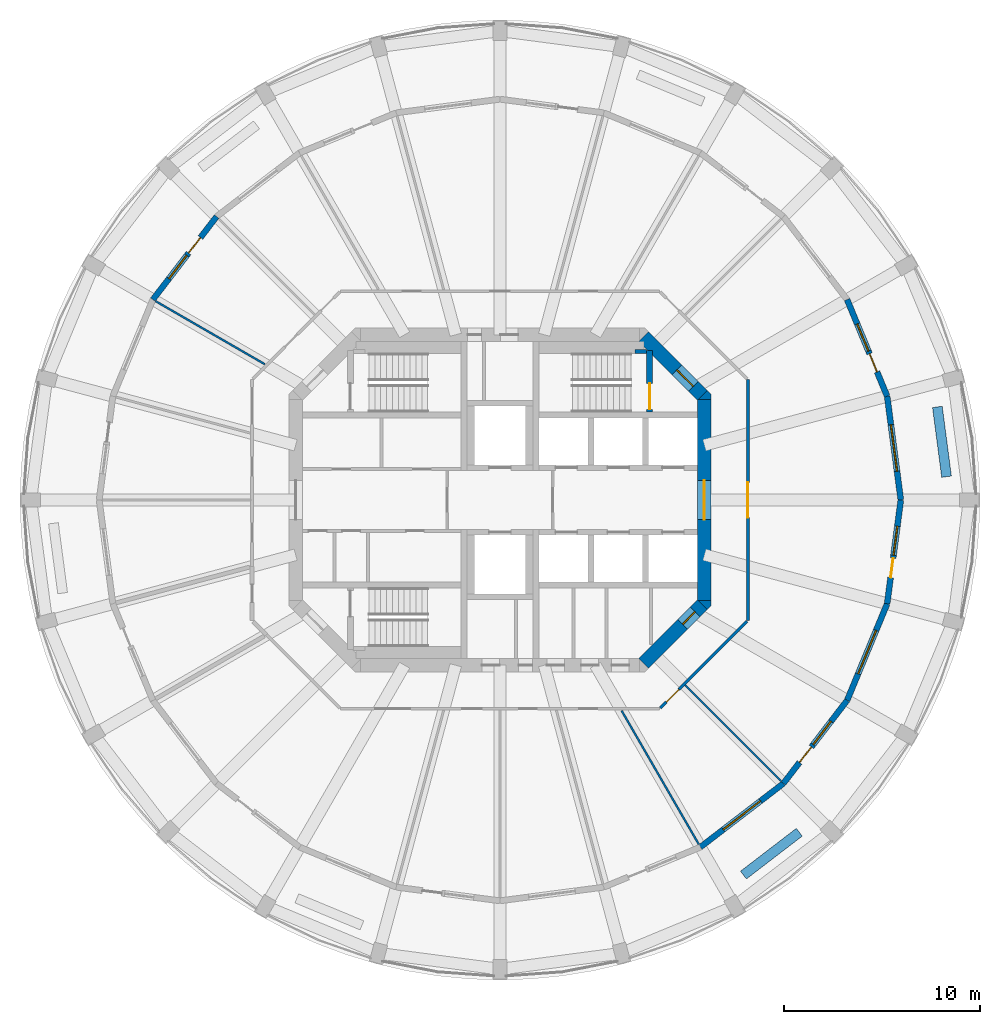
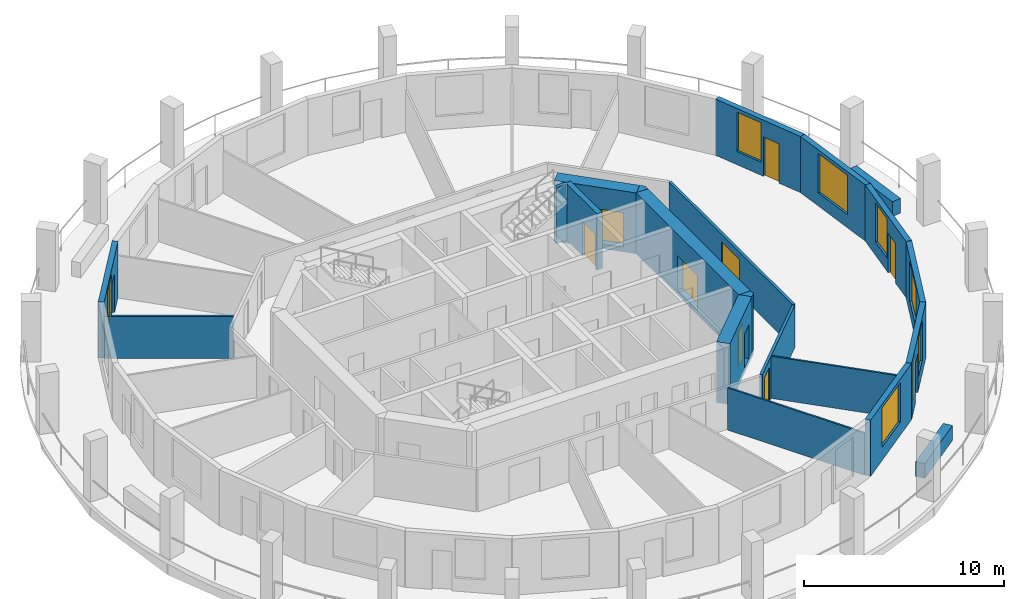
# One storey, part 5 of 9: 21 walls, 10 doors, 7 windows, 17 openings.
"""IFC4 building model written with IfcOpenShell, lengths in metres."""

from ifc_helpers import new_model, si_unit, direction, frame, frame_2d, origin, place, context, subcontext, project, spatial, polyline, rectangle, outline, extrude, material, layer, layer_set, type_object, element, fill, save


model = new_model("IFC4")

# Units and contexts
model_context = context("Model", 3, precision=1e-05, world=origin(), true_north=direction((0.0, 1.0)))
body_context = subcontext(model_context, "Body", "Model", "MODEL_VIEW")
ifc_project = project(units=[si_unit("LENGTHUNIT", "METRE"), si_unit("AREAUNIT", "SQUARE_METRE"), si_unit("VOLUMEUNIT", "CUBIC_METRE"), si_unit("PLANEANGLEUNIT", "RADIAN"), si_unit("MASSUNIT", "GRAM", prefix="KILO")], contexts=[model_context])

# Site, building, storey
site_placement = place(None, origin())
site = spatial("IfcSite", under=ifc_project, at=site_placement, CompositionType="ELEMENT")
building_placement = place(site_placement, origin())
building = spatial("IfcBuilding", under=site, at=building_placement, Name="Torre Triforio", CompositionType="ELEMENT")
storey_placement = place(building_placement, frame((0.0, 0.0, 244.60009765625)))
storey = spatial("IfcBuildingStorey", under=building, at=storey_placement, Name="L56", CompositionType="ELEMENT", Elevation=244.60009765625)

# Wall, opening, door
ifc_material_1 = material(Name="Concrete C50", Category="concrete")
ifc_layer_1 = layer(ifc_material_1, 0.699951171875)
ifc_layer_set_1 = layer_set([ifc_layer_1], Name="Concrete C50")
wall_type_1 = type_object("IfcWallType", Name="Core wall 700 mm C50 EI 120", PredefinedType="SHEAR", material=ifc_layer_set_1)
wall_1_placement = place(storey_placement, frame((10.449951171875, -5.1298828125, -0.280029296875), z_axis=(0.0, 0.0, 1.0), x_axis=(0.0, 1.0, 0.0)))
wall_1 = element("IfcWall", 1, at=wall_1_placement, inside=storey, type_object=wall_type_1, Name="Core wall", PredefinedType="SHEAR", context=body_context, shape_type="SweptSolid", body=[
    extrude(rectangle(XDim=10.259765625, YDim=0.699951171875, at=frame_2d((5.1298828125, 0.0))), origin(), (0.0, 0.0, 1.0), 3.699951171875),
])
opening_1_placement = place(wall_1_placement, frame((4.1298828125, 0.0, 0.280029296875)))
opening_1 = element("IfcOpeningElement", 2, at=opening_1_placement, cuts=wall_1, Name="Opening E-RING", PredefinedType="OPENING", context=body_context, shape_type="SweptSolid", body=[
    extrude(rectangle(XDim=2.0, YDim=2.10009765625, at=frame_2d((1.0, 1.050048828125))), frame((0.0, 0.35986328125, 0.0), z_axis=(0.0, -1.0, 0.0), x_axis=(1.0, 0.0, 0.0)), (0.0, 0.0, 1.0), 0.719970703125),
])
ifc_material_2 = material(Name="Hollow metal fire door leaf")
door_type_1 = type_object("IfcDoorType", Name="Lobby door 2000 x 2100 EI 60", OperationType="DOUBLE_DOOR_SINGLE_SWING", PredefinedType="DOOR", material=ifc_material_2)
door_1_placement = place(opening_1_placement, origin())
door_1 = element("IfcDoor", 3, at=door_1_placement, inside=storey, type_object=door_type_1, Name="Core door E-RING", OperationType="DOUBLE_DOOR_SINGLE_SWING", OverallHeight=2.10009765625, OverallWidth=2.0, PredefinedType="DOOR", context=body_context, shape_type="SweptSolid", body=[
    extrude(rectangle(XDim=2.0, YDim=2.10009765625, at=frame_2d((1.0, 1.050048828125))), frame((0.0, 0.02490234375, 0.0), z_axis=(0.0, -1.0, 0.0), x_axis=(1.0, 0.0, 0.0)), (0.0, 0.0, 1.0), 0.050048828125),
])
fill(opening_1, door_1)

wall_2_placement = place(storey_placement, frame((7.347412109375, 8.347412109375, -0.280029296875), z_axis=(0.0, 0.0, 1.0), x_axis=(0.707106781187, -0.707106781187, 0.0)))
wall_2 = element("IfcWall", 4, at=wall_2_placement, inside=storey, type_object=wall_type_1, Name="Core wall", PredefinedType="SHEAR", context=body_context, shape_type="SweptSolid", body=[
    extrude(rectangle(XDim=4.24267578125, YDim=0.699951171875, at=frame_2d((2.121337890625, 0.0))), origin(), (0.0, 0.0, 1.0), 3.699951171875),
])
opening_2_placement = place(wall_2_placement, frame((2.392578125, 0.0, 0.280029296875)))
opening_2 = element("IfcOpeningElement", 5, at=opening_2_placement, cuts=wall_2, Name="Opening ST2-EXIT", PredefinedType="OPENING", context=body_context, shape_type="SweptSolid", body=[
    extrude(rectangle(XDim=1.199951171875, YDim=2.10009765625, at=frame_2d((0.60009765625, 1.050048828125))), frame((0.0, 0.35986328125, 0.0), z_axis=(0.0, -1.0, 0.0), x_axis=(1.0, 0.0, 0.0)), (0.0, 0.0, 1.0), 0.719970703125),
])
door_type_2 = type_object("IfcDoorType", Name="Stair lobby door 1200 x 2100 EI 60", OperationType="NOTDEFINED", PredefinedType="DOOR", material=ifc_material_2)
door_2_placement = place(opening_2_placement, origin())
door_2 = element("IfcDoor", 6, at=door_2_placement, inside=storey, type_object=door_type_2, Name="Core door ST2-EXIT", OperationType="SINGLE_SWING_RIGHT", OverallHeight=2.10009765625, OverallWidth=1.199951171875, PredefinedType="DOOR", context=body_context, shape_type="SweptSolid", body=[
    extrude(rectangle(XDim=1.199951171875, YDim=2.10009765625, at=frame_2d((0.60009765625, 1.050048828125))), frame((0.0, 0.02490234375, 0.0), z_axis=(0.0, -1.0, 0.0), x_axis=(1.0, 0.0, 0.0)), (0.0, 0.0, 1.0), 0.050048828125),
])
fill(opening_2, door_2)

wall_3_placement = place(storey_placement, frame((10.347412109375, -5.347412109375, -0.280029296875), z_axis=(0.0, 0.0, 1.0), x_axis=(-0.707106781187, -0.707106781187, 0.0)))
wall_3 = element("IfcWall", 7, at=wall_3_placement, inside=storey, type_object=wall_type_1, Name="Core wall", PredefinedType="SHEAR", context=body_context, shape_type="SweptSolid", body=[
    extrude(rectangle(XDim=4.24267578125, YDim=0.699951171875, at=frame_2d((2.121337890625, 0.0))), origin(), (0.0, 0.0, 1.0), 3.699951171875),
])
opening_3_placement = place(wall_3_placement, frame((0.52001953125, 0.0, 0.280029296875)))
opening_3 = element("IfcOpeningElement", 8, at=opening_3_placement, cuts=wall_3, Name="Opening SE-04", PredefinedType="OPENING", context=body_context, shape_type="SweptSolid", body=[
    extrude(rectangle(XDim=0.89990234375, YDim=2.10009765625, at=frame_2d((0.449951171875, 1.050048828125))), frame((0.0, 0.35986328125, 0.0), z_axis=(0.0, -1.0, 0.0), x_axis=(1.0, 0.0, 0.0)), (0.0, 0.0, 1.0), 0.719970703125),
])
door_type_3 = type_object("IfcDoorType", Name="Room door 900 x 2100 EI 60", OperationType="NOTDEFINED", PredefinedType="DOOR", material=ifc_material_2)
door_3_placement = place(opening_3_placement, origin())
door_3 = element("IfcDoor", 9, at=door_3_placement, inside=storey, type_object=door_type_3, Name="Core door SE-04", OperationType="SINGLE_SWING_RIGHT", OverallHeight=2.10009765625, OverallWidth=0.89990234375, PredefinedType="DOOR", context=body_context, shape_type="SweptSolid", body=[
    extrude(rectangle(XDim=0.89990234375, YDim=2.10009765625, at=frame_2d((0.449951171875, 1.050048828125))), frame((0.0, 0.02490234375, 0.0), z_axis=(0.0, -1.0, 0.0), x_axis=(1.0, 0.0, 0.0)), (0.0, 0.0, 1.0), 0.050048828125),
])
fill(opening_3, door_3)

# Walls
wall_4_placement = place(storey_placement, frame((0.0, 0.0, -0.280029296875)))
element("IfcWall", 10, at=wall_4_placement, inside=storey, type_object=wall_type_1, Name="Core wall", PredefinedType="SHEAR", context=body_context, shape_type="SweptSolid", body=[
    extrude(outline(polyline([(10.800048828125, -5.389892578125), (10.594970703125, -5.594970703125), (10.594970703125, -5.594970703125), (10.594970703125, -5.594970703125), (10.1298828125, -5.1298828125), (10.800048828125, -5.1298828125), (10.800048828125, -5.1298828125), (10.800048828125, -5.389892578125)])), origin(), (0.0, 0.0, 1.0), 3.699951171875),
])
wall_5_placement = place(storey_placement, frame((0.0, 0.0, -0.280029296875)))
element("IfcWall", 11, at=wall_5_placement, inside=storey, type_object=wall_type_1, Name="Core wall", PredefinedType="SHEAR", context=body_context, shape_type="SweptSolid", body=[
    extrude(outline(polyline([(10.800048828125, 5.389892578125), (10.800048828125, 5.1298828125), (10.800048828125, 5.1298828125), (10.1298828125, 5.1298828125), (10.594970703125, 5.594970703125), (10.594970703125, 5.594970703125), (10.594970703125, 5.594970703125), (10.800048828125, 5.389892578125)])), origin(), (0.0, 0.0, 1.0), 3.699951171875),
])

# Wall, opening, door
ifc_material_3 = material(Name="Plasterboard on metal studs")
ifc_layer_2 = layer(ifc_material_3, 0.14990234375)
ifc_layer_set_2 = layer_set([ifc_layer_2], Name="Plasterboard on metal studs")
wall_type_2 = type_object("IfcWallType", Name="Corridor and tenancy wall 150 mm EI 60", PredefinedType="PARTITIONING", material=ifc_layer_set_2)
wall_6_placement = place(storey_placement, frame((12.637939453125, -6.20361328125, 0.0), z_axis=(0.0, 0.0, 1.0), x_axis=(-0.707106781187, -0.707106781187, 0.0)))
wall_6 = element("IfcWall", 12, at=wall_6_placement, inside=storey, type_object=wall_type_2, Name="Partition 1", PredefinedType="PARTITIONING", context=body_context, shape_type="SweptSolid", body=[
    extrude(rectangle(XDim=6.27099609375, YDim=0.14990234375, at=frame_2d((3.135498046875, 0.0))), origin(), (0.0, 0.0, 1.0), 2.56982421875),
])
opening_4_placement = place(wall_6_placement, frame((4.935302734375, 0.0, 0.0)))
opening_4 = element("IfcOpeningElement", 13, at=opening_4_placement, cuts=wall_6, Name="Opening O8-05", PredefinedType="OPENING", context=body_context, shape_type="SweptSolid", body=[
    extrude(rectangle(XDim=0.89990234375, YDim=2.10009765625, at=frame_2d((0.449951171875, 1.050048828125))), frame((0.0, 0.0849609375, 0.0), z_axis=(0.0, -1.0, 0.0), x_axis=(1.0, 0.0, 0.0)), (0.0, 0.0, 1.0), 0.169921875),
])
ifc_material_4 = material(Name="Timber", Category="wood")
door_type_4 = type_object("IfcDoorType", Name="Door 900 x 2100 single leaf EI 30", OperationType="NOTDEFINED", PredefinedType="DOOR", material=ifc_material_4)
door_4_placement = place(opening_4_placement, origin())
door_4 = element("IfcDoor", 14, at=door_4_placement, inside=storey, type_object=door_type_4, Name="Door O8-05", OperationType="SINGLE_SWING_LEFT", OverallHeight=2.10009765625, OverallWidth=0.89990234375, PredefinedType="DOOR", context=body_context, shape_type="SweptSolid", body=[
    extrude(rectangle(XDim=0.89990234375, YDim=2.10009765625, at=frame_2d((0.449951171875, 1.050048828125))), frame((0.0, 0.02490234375, 0.0), z_axis=(0.0, -1.0, 0.0), x_axis=(1.0, 0.0, 0.0)), (0.0, 0.0, 1.0), 0.050048828125),
])
fill(opening_4, door_4)

wall_7_placement = place(storey_placement, frame((12.675048828125, 6.16650390625, 0.0), z_axis=(0.0, 0.0, 1.0), x_axis=(0.0, -1.0, 0.0)))
wall_7 = element("IfcWall", 15, at=wall_7_placement, inside=storey, type_object=wall_type_2, Name="Partition 10", PredefinedType="PARTITIONING", context=body_context, shape_type="SweptSolid", body=[
    extrude(rectangle(XDim=12.3330078125, YDim=0.14990234375, at=frame_2d((6.16650390625, 0.0))), origin(), (0.0, 0.0, 1.0), 2.56982421875),
])
opening_5_placement = place(wall_7_placement, frame((5.2666015625, 0.0, 0.0)))
opening_5 = element("IfcOpeningElement", 16, at=opening_5_placement, cuts=wall_7, Name="Opening O8-06", PredefinedType="OPENING", context=body_context, shape_type="SweptSolid", body=[
    extrude(rectangle(XDim=1.800048828125, YDim=2.10009765625, at=frame_2d((0.89990234375, 1.050048828125))), frame((0.0, 0.0849609375, 0.0), z_axis=(0.0, -1.0, 0.0), x_axis=(1.0, 0.0, 0.0)), (0.0, 0.0, 1.0), 0.169921875),
])
door_type_5 = type_object("IfcDoorType", Name="Door 1800 x 2100 double leaf EI 30", OperationType="DOUBLE_DOOR_SINGLE_SWING", PredefinedType="DOOR", material=ifc_material_4)
door_5_placement = place(opening_5_placement, origin())
door_5 = element("IfcDoor", 17, at=door_5_placement, inside=storey, type_object=door_type_5, Name="Door O8-06", OperationType="DOUBLE_DOOR_SINGLE_SWING", OverallHeight=2.10009765625, OverallWidth=1.800048828125, PredefinedType="DOOR", context=body_context, shape_type="SweptSolid", body=[
    extrude(rectangle(XDim=1.800048828125, YDim=2.10009765625, at=frame_2d((0.89990234375, 1.050048828125))), frame((0.0, 0.02490234375, 0.0), z_axis=(0.0, -1.0, 0.0), x_axis=(1.0, 0.0, 0.0)), (0.0, 0.0, 1.0), 0.050048828125),
])
fill(opening_5, door_5)

# Walls
ifc_layer_3 = layer(ifc_material_3, 0.10009765625)
ifc_layer_set_3 = layer_set([ifc_layer_3], Name="Plasterboard on metal studs")
wall_type_3 = type_object("IfcWallType", Name="Partition 100 mm board on metal studs", PredefinedType="PARTITIONING", material=ifc_layer_set_3)
wall_8_placement = place(storey_placement, frame((-12.025146484375, 6.94287109375, 0.0), z_axis=(0.0, 0.0, 1.0), x_axis=(-0.866026773083, 0.499997628298, 0.0)))
element("IfcWall", 18, at=wall_8_placement, inside=storey, type_object=wall_type_3, Name="Partition 17", PredefinedType="PARTITIONING", context=body_context, shape_type="SweptSolid", body=[
    extrude(rectangle(XDim=6.451171875, YDim=0.10009765625, at=frame_2d((3.2255859375, 0.0))), origin(), (0.0, 0.0, 1.0), 2.56982421875),
])
wall_9_placement = place(storey_placement, frame((6.220703125, -10.774658203125, 0.0), z_axis=(0.0, 0.0, 1.0), x_axis=(0.500016891966, -0.866015650984, 0.0)))
element("IfcWall", 19, at=wall_9_placement, inside=storey, type_object=wall_type_3, Name="Partition 25", PredefinedType="PARTITIONING", context=body_context, shape_type="SweptSolid", body=[
    extrude(rectangle(XDim=7.895263671875, YDim=0.10009765625, at=frame_2d((3.94775390625, 0.0))), origin(), (0.0, 0.0, 1.0), 2.56982421875),
])
wall_10_placement = place(storey_placement, frame((9.473876953125, -9.473876953125, 0.0), z_axis=(0.0, 0.0, 1.0), x_axis=(0.707106781187, -0.707106781187, 0.0)))
element("IfcWall", 20, at=wall_10_placement, inside=storey, type_object=wall_type_3, Name="Partition 26", PredefinedType="PARTITIONING", context=body_context, shape_type="SweptSolid", body=[
    extrude(rectangle(XDim=6.9384765625, YDim=0.10009765625, at=frame_2d((3.46923828125, 0.0))), origin(), (0.0, 0.0, 1.0), 2.56982421875),
])
ifc_material_5 = material(Name="Limestone cladding", Category="masonry")
ifc_layer_4 = layer(ifc_material_5, 0.10009765625)
ifc_material_6 = material(Name="Concrete C40", Category="concrete")
ifc_layer_5 = layer(ifc_material_6, 0.39990234375)
ifc_layer_set_4 = layer_set([ifc_layer_4, ifc_layer_5], Name="Limestone cladding / Concrete C40")
wall_type_4 = type_object("IfcWallType", Name="Planter wall 500", PredefinedType="PARAPET", material=ifc_layer_set_4)
wall_11_placement = place(storey_placement, frame((22.83984375, 1.19140625, 0.0), z_axis=(0.0, 0.0, 1.0), x_axis=(-0.130484336385, 0.9914503709, 0.0)))
element("IfcWall", 21, at=wall_11_placement, inside=storey, type_object=wall_type_4, Name="Planter L56 bay 01", PredefinedType="PARAPET", context=body_context, shape_type="SweptSolid", body=[
    extrude(rectangle(XDim=3.599853515625, YDim=0.5, at=frame_2d((1.7998046875, 0.0))), origin(), (0.0, 0.0, 1.0), 0.89990234375),
])
wall_12_placement = place(storey_placement, frame((12.45166015625, -19.18408203125, 0.0), z_axis=(0.0, 0.0, 1.0), x_axis=(0.793384730612, 0.608720518162, 0.0)))
element("IfcWall", 22, at=wall_12_placement, inside=storey, type_object=wall_type_4, Name="Planter L56 bay 21", PredefinedType="PARAPET", context=body_context, shape_type="SweptSolid", body=[
    extrude(rectangle(XDim=3.60009765625, YDim=0.5, at=frame_2d((1.800048828125, 0.0))), origin(), (0.0, 0.0, 1.0), 0.89990234375),
])
ifc_layer_6 = layer(ifc_material_1, 0.199951171875)
ifc_layer_set_5 = layer_set([ifc_layer_6], Name="Concrete C50")
wall_type_5 = type_object("IfcWallType", Name="Stair wall 200 mm C50 EI 120", PredefinedType="SHEAR", material=ifc_layer_set_5)
wall_13_placement = place(storey_placement, frame((6.89990234375, 7.60009765625, 0.0), z_axis=(0.0, 0.0, 1.0), x_axis=(1.0, 0.0, 0.0)))
element("IfcWall", 23, at=wall_13_placement, inside=storey, type_object=wall_type_5, Name="Stair wall", PredefinedType="SHEAR", context=body_context, shape_type="SweptSolid", body=[
    extrude(rectangle(XDim=0.60009765625, YDim=0.199951171875, at=frame_2d((0.300048828125, 0.0))), origin(), (0.0, 0.0, 1.0), 3.419921875),
])

# Wall, opening, door
ifc_layer_7 = layer(ifc_material_1, 0.300048828125)
ifc_layer_set_6 = layer_set([ifc_layer_7], Name="Concrete C50")
wall_type_6 = type_object("IfcWallType", Name="Stair wall 300 mm C50 EI 120", PredefinedType="SHEAR", material=ifc_layer_set_6)
wall_14_placement = place(storey_placement, frame((7.64990234375, 4.5, 0.0), z_axis=(0.0, 0.0, 1.0), x_axis=(0.0, 1.0, 0.0)))
wall_14 = element("IfcWall", 24, at=wall_14_placement, inside=storey, type_object=wall_type_6, Name="Stair wall", PredefinedType="SHEAR", context=body_context, shape_type="SweptSolid", body=[
    extrude(rectangle(XDim=3.139892578125, YDim=0.300048828125, at=frame_2d((1.56982421875, 0.0))), origin(), (0.0, 0.0, 1.0), 3.419921875),
])
opening_6_placement = place(wall_14_placement, frame((0.139892578125, 0.0, 0.0)))
opening_6 = element("IfcOpeningElement", 25, at=opening_6_placement, cuts=wall_14, Name="Opening ST2-STA", PredefinedType="OPENING", context=body_context, shape_type="SweptSolid", body=[
    extrude(rectangle(XDim=1.320068359375, YDim=2.10009765625, at=frame_2d((0.66015625, 1.050048828125))), frame((0.0, 0.159912109375, 0.0), z_axis=(0.0, -1.0, 0.0), x_axis=(1.0, 0.0, 0.0)), (0.0, 0.0, 1.0), 0.320068359375),
])
door_type_6 = type_object("IfcDoorType", Name="Stair door 1320 x 2100 EI 90", OperationType="DOUBLE_DOOR_SINGLE_SWING", PredefinedType="DOOR", material=ifc_material_2)
door_6_placement = place(opening_6_placement, origin())
door_6 = element("IfcDoor", 26, at=door_6_placement, inside=storey, type_object=door_type_6, Name="Core door ST2-ST", OperationType="DOUBLE_DOOR_SINGLE_SWING", OverallHeight=2.10009765625, OverallWidth=1.320068359375, PredefinedType="DOOR", context=body_context, shape_type="SweptSolid", body=[
    extrude(rectangle(XDim=1.320068359375, YDim=2.10009765625, at=frame_2d((0.66015625, 1.050048828125))), frame((0.0, 0.02490234375, 0.0), z_axis=(0.0, -1.0, 0.0), x_axis=(1.0, 0.0, 0.0)), (0.0, 0.0, 1.0), 0.050048828125),
])
fill(opening_6, door_6)

# Wall, opening, window
ifc_layer_8 = layer(ifc_material_5, 0.10009765625)
ifc_layer_9 = layer(ifc_material_6, 0.199951171875)
ifc_layer_set_7 = layer_set([ifc_layer_8, ifc_layer_9], Name="Limestone cladding / Concrete C40")
wall_type_7 = type_object("IfcWallType", Name="Stone-faced composite wall 300", PredefinedType="STANDARD", material=ifc_layer_set_7)
wall_15_placement = place(storey_placement, frame((20.5, 0.0, 0.0), z_axis=(0.0, 0.0, 1.0), x_axis=(-0.130517056518, 0.991446064069, 0.0)))
wall_15 = element("IfcWall", 27, at=wall_15_placement, inside=storey, type_object=wall_type_7, Name="External wall L56 bay 01", PredefinedType="STANDARD", context=body_context, shape_type="SweptSolid", body=[
    extrude(rectangle(XDim=5.351806640625, YDim=0.300048828125, at=frame_2d((2.67578125, 0.0))), origin(), (0.0, 0.0, 1.0), 3.419921875),
])
opening_7_placement = place(wall_15_placement, frame((1.475830078125, 0.0, 0.800048828125)))
opening_7 = element("IfcOpeningElement", 28, at=opening_7_placement, cuts=wall_15, Name="Opening O8-W01", PredefinedType="OPENING", context=body_context, shape_type="SweptSolid", body=[
    extrude(rectangle(XDim=2.39990234375, YDim=2.39990234375, at=frame_2d((1.199951171875, 1.199951171875))), frame((0.0, 0.159912109375, 0.0), z_axis=(0.0, -1.0, 0.0), x_axis=(1.0, 0.0, 0.0)), (0.0, 0.0, 1.0), 0.320068359375),
])
ifc_material_7 = material(Name="Aluminium frame with clear double glazing", Category="aluminium")
window_type_1 = type_object("IfcWindowType", Name="Punched window 2400 x 2400", PartitioningType="DOUBLE_PANEL_VERTICAL", PredefinedType="WINDOW", material=ifc_material_7)
window_1_placement = place(opening_7_placement, origin())
window_1 = element("IfcWindow", 29, at=window_1_placement, inside=storey, type_object=window_type_1, Name="Window EWN4 L56 bay 01", OverallHeight=2.39990234375, OverallWidth=2.39990234375, PartitioningType="SINGLE_PANEL", PredefinedType="WINDOW", context=body_context, shape_type="SweptSolid", body=[
    extrude(rectangle(XDim=2.39990234375, YDim=2.39990234375, at=frame_2d((1.199951171875, 1.199951171875))), frame((0.0, 0.030029296875, 0.0), z_axis=(0.0, -1.0, 0.0), x_axis=(1.0, 0.0, 0.0)), (0.0, 0.0, 1.0), 0.06005859375),
])
fill(opening_7, window_1)

# Wall, openings, door, window
wall_16_placement = place(storey_placement, frame((19.801513671875, 5.305908203125, 0.0), z_axis=(0.0, 0.0, 1.0), x_axis=(-0.382713071139, 0.923867255172, 0.0)))
wall_16 = element("IfcWall", 30, at=wall_16_placement, inside=storey, type_object=wall_type_7, Name="External wall L56 bay 02", PredefinedType="STANDARD", context=body_context, shape_type="SweptSolid", body=[
    extrude(rectangle(XDim=5.3515625, YDim=0.300048828125, at=frame_2d((2.67578125, 0.0))), origin(), (0.0, 0.0, 1.0), 3.419921875),
])
opening_8_placement = place(wall_16_placement, frame((1.350830078125, 0.0, 0.0)))
opening_8 = element("IfcOpeningElement", 31, at=opening_8_placement, cuts=wall_16, Name="Opening O8-D02", PredefinedType="OPENING", context=body_context, shape_type="SweptSolid", body=[
    extrude(rectangle(XDim=1.0, YDim=2.39990234375, at=frame_2d((0.5, 1.199951171875))), frame((0.0, 0.159912109375, 0.0), z_axis=(0.0, -1.0, 0.0), x_axis=(1.0, 0.0, 0.0)), (0.0, 0.0, 1.0), 0.320068359375),
])
opening_9_placement = place(wall_16_placement, frame((2.500732421875, 0.0, 0.800048828125)))
opening_9 = element("IfcOpeningElement", 32, at=opening_9_placement, cuts=wall_16, Name="Opening O8-W02A", PredefinedType="OPENING", context=body_context, shape_type="SweptSolid", body=[
    extrude(rectangle(XDim=1.5, YDim=2.39990234375, at=frame_2d((0.75, 1.199951171875))), frame((0.0, 0.159912109375, 0.0), z_axis=(0.0, -1.0, 0.0), x_axis=(1.0, 0.0, 0.0)), (0.0, 0.0, 1.0), 0.320068359375),
])
door_type_7 = type_object("IfcDoorType", Name="Loggia door 1000 x 2400", OperationType="NOTDEFINED", PredefinedType="DOOR", material=ifc_material_7)
door_7_placement = place(opening_8_placement, origin())
door_7 = element("IfcDoor", 33, at=door_7_placement, inside=storey, type_object=door_type_7, Name="Loggia door L56 bay 02", OperationType="SINGLE_SWING_LEFT", OverallHeight=2.39990234375, OverallWidth=1.0, PredefinedType="DOOR", context=body_context, shape_type="SweptSolid", body=[
    extrude(rectangle(XDim=1.0, YDim=2.39990234375, at=frame_2d((0.5, 1.199951171875))), frame((0.0, 0.02490234375, 0.0), z_axis=(0.0, -1.0, 0.0), x_axis=(1.0, 0.0, 0.0)), (0.0, 0.0, 1.0), 0.050048828125),
])
fill(opening_8, door_7)
window_type_2 = type_object("IfcWindowType", Name="Side window 1500 x 2400", PartitioningType="SINGLE_PANEL", PredefinedType="WINDOW", material=ifc_material_7)
window_2_placement = place(opening_9_placement, origin())
window_2 = element("IfcWindow", 34, at=window_2_placement, inside=storey, type_object=window_type_2, Name="Side window EWN14 L56 bay 02", OverallHeight=2.39990234375, OverallWidth=1.5, PartitioningType="SINGLE_PANEL", PredefinedType="WINDOW", context=body_context, shape_type="SweptSolid", body=[
    extrude(rectangle(XDim=1.5, YDim=2.39990234375, at=frame_2d((0.75, 1.199951171875))), frame((0.0, 0.030029296875, 0.0), z_axis=(0.0, -1.0, 0.0), x_axis=(1.0, 0.0, 0.0)), (0.0, 0.0, 1.0), 0.06005859375),
])
fill(opening_9, window_2)

wall_17_placement = place(storey_placement, frame((-14.49560546875, 14.49560546875, 0.0), z_axis=(0.0, 0.0, 1.0), x_axis=(-0.60876670321, -0.793349293227, 0.0)))
wall_17 = element("IfcWall", 35, at=wall_17_placement, inside=storey, type_object=wall_type_7, Name="External wall L56 bay 10", PredefinedType="STANDARD", context=body_context, shape_type="SweptSolid", body=[
    extrude(rectangle(XDim=5.3515625, YDim=0.300048828125, at=frame_2d((2.67578125, 0.0))), origin(), (0.0, 0.0, 1.0), 3.419921875),
])
opening_10_placement = place(wall_17_placement, frame((1.350830078125, 0.0, 0.0)))
opening_10 = element("IfcOpeningElement", 36, at=opening_10_placement, cuts=wall_17, Name="Opening O8-D10", PredefinedType="OPENING", context=body_context, shape_type="SweptSolid", body=[
    extrude(rectangle(XDim=1.0, YDim=2.39990234375, at=frame_2d((0.5, 1.199951171875))), frame((0.0, 0.159912109375, 0.0), z_axis=(0.0, -1.0, 0.0), x_axis=(1.0, 0.0, 0.0)), (0.0, 0.0, 1.0), 0.320068359375),
])
opening_11_placement = place(wall_17_placement, frame((2.500732421875, 0.0, 0.800048828125)))
opening_11 = element("IfcOpeningElement", 37, at=opening_11_placement, cuts=wall_17, Name="Opening O8-W10A", PredefinedType="OPENING", context=body_context, shape_type="SweptSolid", body=[
    extrude(rectangle(XDim=1.5, YDim=2.39990234375, at=frame_2d((0.75, 1.199951171875))), frame((0.0, 0.159912109375, 0.0), z_axis=(0.0, -1.0, 0.0), x_axis=(1.0, 0.0, 0.0)), (0.0, 0.0, 1.0), 0.320068359375),
])
door_8_placement = place(opening_10_placement, origin())
door_8 = element("IfcDoor", 38, at=door_8_placement, inside=storey, type_object=door_type_7, Name="Loggia door L56 bay 10", OperationType="SINGLE_SWING_LEFT", OverallHeight=2.39990234375, OverallWidth=1.0, PredefinedType="DOOR", context=body_context, shape_type="SweptSolid", body=[
    extrude(rectangle(XDim=1.0, YDim=2.39990234375, at=frame_2d((0.5, 1.199951171875))), frame((0.0, 0.02490234375, 0.0), z_axis=(0.0, -1.0, 0.0), x_axis=(1.0, 0.0, 0.0)), (0.0, 0.0, 1.0), 0.050048828125),
])
fill(opening_10, door_8)
window_3_placement = place(opening_11_placement, origin())
window_3 = element("IfcWindow", 39, at=window_3_placement, inside=storey, type_object=window_type_2, Name="Side window EWN14 L56 bay 10", OverallHeight=2.39990234375, OverallWidth=1.5, PartitioningType="SINGLE_PANEL", PredefinedType="WINDOW", context=body_context, shape_type="SweptSolid", body=[
    extrude(rectangle(XDim=1.5, YDim=2.39990234375, at=frame_2d((0.75, 1.199951171875))), frame((0.0, 0.030029296875, 0.0), z_axis=(0.0, -1.0, 0.0), x_axis=(1.0, 0.0, 0.0)), (0.0, 0.0, 1.0), 0.06005859375),
])
fill(opening_11, window_3)

# Wall, opening, window
wall_18_placement = place(storey_placement, frame((10.25, -17.75341796875, 0.0), z_axis=(0.0, 0.0, 1.0), x_axis=(0.793349293227, 0.60876670321, 0.0)))
wall_18 = element("IfcWall", 40, at=wall_18_placement, inside=storey, type_object=wall_type_7, Name="External wall L56 bay 21", PredefinedType="STANDARD", context=body_context, shape_type="SweptSolid", body=[
    extrude(rectangle(XDim=5.3515625, YDim=0.300048828125, at=frame_2d((2.67578125, 0.0))), origin(), (0.0, 0.0, 1.0), 3.419921875),
])
opening_12_placement = place(wall_18_placement, frame((1.475830078125, 0.0, 0.800048828125)))
opening_12 = element("IfcOpeningElement", 41, at=opening_12_placement, cuts=wall_18, Name="Opening O8-W21", PredefinedType="OPENING", context=body_context, shape_type="SweptSolid", body=[
    extrude(rectangle(XDim=2.39990234375, YDim=2.39990234375, at=frame_2d((1.199951171875, 1.199951171875))), frame((0.0, 0.159912109375, 0.0), z_axis=(0.0, -1.0, 0.0), x_axis=(1.0, 0.0, 0.0)), (0.0, 0.0, 1.0), 0.320068359375),
])
window_4_placement = place(opening_12_placement, origin())
window_4 = element("IfcWindow", 42, at=window_4_placement, inside=storey, type_object=window_type_1, Name="Window EWN4 L56 bay 21", OverallHeight=2.39990234375, OverallWidth=2.39990234375, PartitioningType="SINGLE_PANEL", PredefinedType="WINDOW", context=body_context, shape_type="SweptSolid", body=[
    extrude(rectangle(XDim=2.39990234375, YDim=2.39990234375, at=frame_2d((1.199951171875, 1.199951171875))), frame((0.0, 0.030029296875, 0.0), z_axis=(0.0, -1.0, 0.0), x_axis=(1.0, 0.0, 0.0)), (0.0, 0.0, 1.0), 0.06005859375),
])
fill(opening_12, window_4)

# Wall, openings, door, window
wall_19_placement = place(storey_placement, frame((14.49560546875, -14.49560546875, 0.0), z_axis=(0.0, 0.0, 1.0), x_axis=(0.60876670321, 0.793349293227, 0.0)))
wall_19 = element("IfcWall", 43, at=wall_19_placement, inside=storey, type_object=wall_type_7, Name="External wall L56 bay 22", PredefinedType="STANDARD", context=body_context, shape_type="SweptSolid", body=[
    extrude(rectangle(XDim=5.3515625, YDim=0.300048828125, at=frame_2d((2.67578125, 0.0))), origin(), (0.0, 0.0, 1.0), 3.419921875),
])
opening_13_placement = place(wall_19_placement, frame((1.350830078125, 0.0, 0.0)))
opening_13 = element("IfcOpeningElement", 44, at=opening_13_placement, cuts=wall_19, Name="Opening O8-D22", PredefinedType="OPENING", context=body_context, shape_type="SweptSolid", body=[
    extrude(rectangle(XDim=1.0, YDim=2.39990234375, at=frame_2d((0.5, 1.199951171875))), frame((0.0, 0.159912109375, 0.0), z_axis=(0.0, -1.0, 0.0), x_axis=(1.0, 0.0, 0.0)), (0.0, 0.0, 1.0), 0.320068359375),
])
opening_14_placement = place(wall_19_placement, frame((2.500732421875, 0.0, 0.800048828125)))
opening_14 = element("IfcOpeningElement", 45, at=opening_14_placement, cuts=wall_19, Name="Opening O8-W22A", PredefinedType="OPENING", context=body_context, shape_type="SweptSolid", body=[
    extrude(rectangle(XDim=1.5, YDim=2.39990234375, at=frame_2d((0.75, 1.199951171875))), frame((0.0, 0.159912109375, 0.0), z_axis=(0.0, -1.0, 0.0), x_axis=(1.0, 0.0, 0.0)), (0.0, 0.0, 1.0), 0.320068359375),
])
door_9_placement = place(opening_13_placement, origin())
door_9 = element("IfcDoor", 46, at=door_9_placement, inside=storey, type_object=door_type_7, Name="Loggia door L56 bay 22", OperationType="SINGLE_SWING_LEFT", OverallHeight=2.39990234375, OverallWidth=1.0, PredefinedType="DOOR", context=body_context, shape_type="SweptSolid", body=[
    extrude(rectangle(XDim=1.0, YDim=2.39990234375, at=frame_2d((0.5, 1.199951171875))), frame((0.0, 0.02490234375, 0.0), z_axis=(0.0, -1.0, 0.0), x_axis=(1.0, 0.0, 0.0)), (0.0, 0.0, 1.0), 0.050048828125),
])
fill(opening_13, door_9)
window_5_placement = place(opening_14_placement, origin())
window_5 = element("IfcWindow", 47, at=window_5_placement, inside=storey, type_object=window_type_2, Name="Side window EWN14 L56 bay 22", OverallHeight=2.39990234375, OverallWidth=1.5, PartitioningType="SINGLE_PANEL", PredefinedType="WINDOW", context=body_context, shape_type="SweptSolid", body=[
    extrude(rectangle(XDim=1.5, YDim=2.39990234375, at=frame_2d((0.75, 1.199951171875))), frame((0.0, 0.030029296875, 0.0), z_axis=(0.0, -1.0, 0.0), x_axis=(1.0, 0.0, 0.0)), (0.0, 0.0, 1.0), 0.06005859375),
])
fill(opening_14, window_5)

# Wall, opening, window
wall_20_placement = place(storey_placement, frame((17.75341796875, -10.25, 0.0), z_axis=(0.0, 0.0, 1.0), x_axis=(0.382713071139, 0.923867255172, 0.0)))
wall_20 = element("IfcWall", 48, at=wall_20_placement, inside=storey, type_object=wall_type_7, Name="External wall L56 bay 23", PredefinedType="STANDARD", context=body_context, shape_type="SweptSolid", body=[
    extrude(rectangle(XDim=5.3515625, YDim=0.300048828125, at=frame_2d((2.67578125, 0.0))), origin(), (0.0, 0.0, 1.0), 3.419921875),
])
opening_15_placement = place(wall_20_placement, frame((1.475830078125, 0.0, 0.800048828125)))
opening_15 = element("IfcOpeningElement", 49, at=opening_15_placement, cuts=wall_20, Name="Opening O8-W23", PredefinedType="OPENING", context=body_context, shape_type="SweptSolid", body=[
    extrude(rectangle(XDim=2.39990234375, YDim=2.39990234375, at=frame_2d((1.199951171875, 1.199951171875))), frame((0.0, 0.159912109375, 0.0), z_axis=(0.0, -1.0, 0.0), x_axis=(1.0, 0.0, 0.0)), (0.0, 0.0, 1.0), 0.320068359375),
])
window_6_placement = place(opening_15_placement, origin())
window_6 = element("IfcWindow", 50, at=window_6_placement, inside=storey, type_object=window_type_1, Name="Window EWN4 L56 bay 23", OverallHeight=2.39990234375, OverallWidth=2.39990234375, PartitioningType="SINGLE_PANEL", PredefinedType="WINDOW", context=body_context, shape_type="SweptSolid", body=[
    extrude(rectangle(XDim=2.39990234375, YDim=2.39990234375, at=frame_2d((1.199951171875, 1.199951171875))), frame((0.0, 0.030029296875, 0.0), z_axis=(0.0, -1.0, 0.0), x_axis=(1.0, 0.0, 0.0)), (0.0, 0.0, 1.0), 0.06005859375),
])
fill(opening_15, window_6)

# Wall, openings, door, window
wall_21_placement = place(storey_placement, frame((19.801513671875, -5.305908203125, 0.0), z_axis=(0.0, 0.0, 1.0), x_axis=(0.130517056518, 0.991446064069, 0.0)))
wall_21 = element("IfcWall", 51, at=wall_21_placement, inside=storey, type_object=wall_type_7, Name="External wall L56 bay 24", PredefinedType="STANDARD", context=body_context, shape_type="SweptSolid", body=[
    extrude(rectangle(XDim=5.351806640625, YDim=0.300048828125, at=frame_2d((2.67578125, 0.0))), origin(), (0.0, 0.0, 1.0), 3.419921875),
])
opening_16_placement = place(wall_21_placement, frame((1.350830078125, 0.0, 0.0)))
opening_16 = element("IfcOpeningElement", 52, at=opening_16_placement, cuts=wall_21, Name="Opening O8-D24", PredefinedType="OPENING", context=body_context, shape_type="SweptSolid", body=[
    extrude(rectangle(XDim=1.0, YDim=2.39990234375, at=frame_2d((0.5, 1.199951171875))), frame((0.0, 0.159912109375, 0.0), z_axis=(0.0, -1.0, 0.0), x_axis=(1.0, 0.0, 0.0)), (0.0, 0.0, 1.0), 0.320068359375),
])
opening_17_placement = place(wall_21_placement, frame((2.500732421875, 0.0, 0.800048828125)))
opening_17 = element("IfcOpeningElement", 53, at=opening_17_placement, cuts=wall_21, Name="Opening O8-W24A", PredefinedType="OPENING", context=body_context, shape_type="SweptSolid", body=[
    extrude(rectangle(XDim=1.5, YDim=2.39990234375, at=frame_2d((0.75, 1.199951171875))), frame((0.0, 0.159912109375, 0.0), z_axis=(0.0, -1.0, 0.0), x_axis=(1.0, 0.0, 0.0)), (0.0, 0.0, 1.0), 0.320068359375),
])
door_10_placement = place(opening_16_placement, origin())
door_10 = element("IfcDoor", 54, at=door_10_placement, inside=storey, type_object=door_type_7, Name="Loggia door L56 bay 24", OperationType="SINGLE_SWING_LEFT", OverallHeight=2.39990234375, OverallWidth=1.0, PredefinedType="DOOR", context=body_context, shape_type="SweptSolid", body=[
    extrude(rectangle(XDim=1.0, YDim=2.39990234375, at=frame_2d((0.5, 1.199951171875))), frame((0.0, 0.02490234375, 0.0), z_axis=(0.0, -1.0, 0.0), x_axis=(1.0, 0.0, 0.0)), (0.0, 0.0, 1.0), 0.050048828125),
])
fill(opening_16, door_10)
window_7_placement = place(opening_17_placement, origin())
window_7 = element("IfcWindow", 55, at=window_7_placement, inside=storey, type_object=window_type_2, Name="Side window EWN14 L56 bay 24", OverallHeight=2.39990234375, OverallWidth=1.5, PartitioningType="SINGLE_PANEL", PredefinedType="WINDOW", context=body_context, shape_type="SweptSolid", body=[
    extrude(rectangle(XDim=1.5, YDim=2.39990234375, at=frame_2d((0.75, 1.199951171875))), frame((0.0, 0.030029296875, 0.0), z_axis=(0.0, -1.0, 0.0), x_axis=(1.0, 0.0, 0.0)), (0.0, 0.0, 1.0), 0.06005859375),
])
fill(opening_17, window_7)

save(model, "model.ifc")
